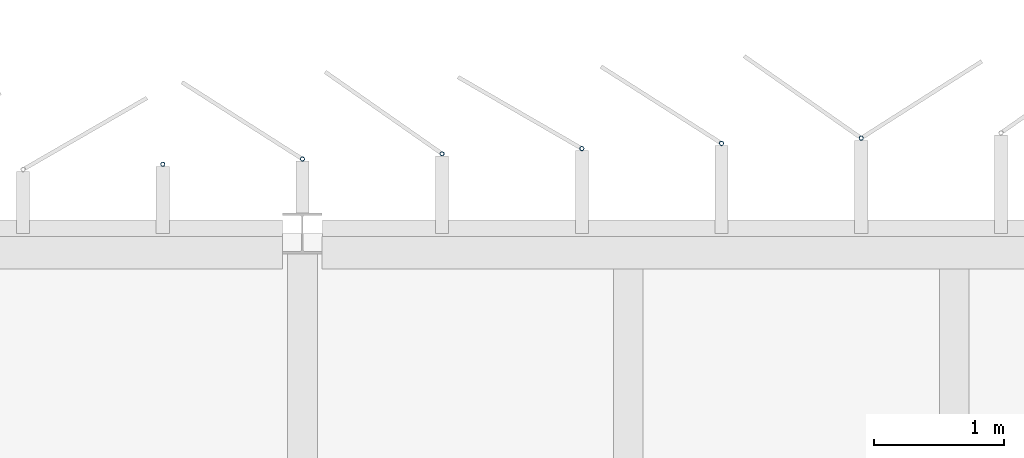
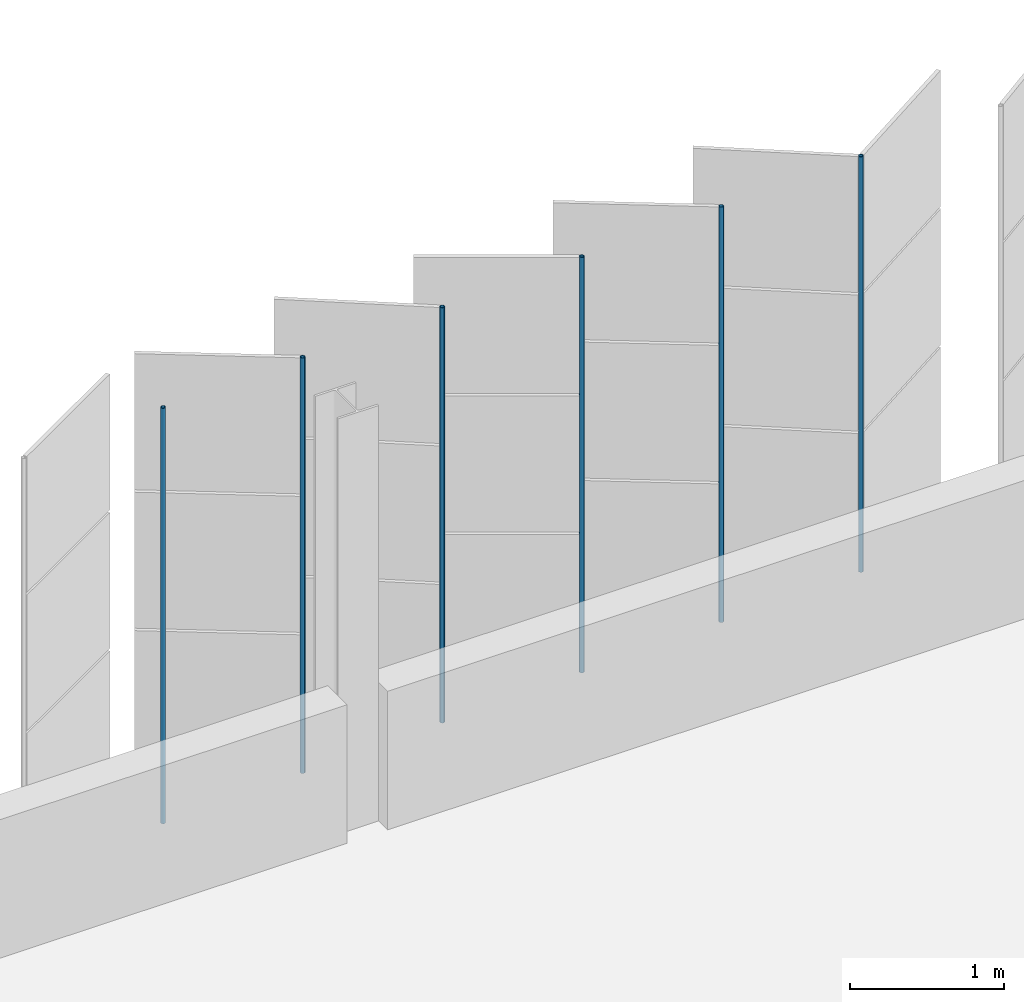
# One storey, part 168 of 214: 6 discrete accessories.
"""IFC4 building model written with IfcOpenShell, lengths in metres."""

from ifc_helpers import new_model, si_unit, direction, frame, origin, origin_2d, place, context, subcontext, project, spatial, hollow_circle, extrude, material, material_profile, profile_set, type_object, element, save


model = new_model("IFC4")

# Units and contexts
model_context = context("Model", 3, precision=1e-05, world=origin(), true_north=direction((0.0, 1.0)))
body_context = subcontext(model_context, "Body", "Model", "MODEL_VIEW")
ifc_project = project(units=[si_unit("LENGTHUNIT", "METRE"), si_unit("AREAUNIT", "SQUARE_METRE"), si_unit("VOLUMEUNIT", "CUBIC_METRE"), si_unit("PLANEANGLEUNIT", "RADIAN"), si_unit("MASSUNIT", "GRAM", prefix="KILO")], contexts=[model_context])

# Site, building, storey
site_placement = place(None, origin())
site = spatial("IfcSite", under=ifc_project, at=site_placement, CompositionType="ELEMENT")
building_placement = place(site_placement, origin())
building = spatial("IfcBuilding", under=site, at=building_placement, Name="Parallax Yard Mobility Hub", CompositionType="ELEMENT")
storey_placement = place(building_placement, frame((0.0, 0.0, 3.300048828125)))
storey = spatial("IfcBuildingStorey", under=building, at=storey_placement, Name="L01", CompositionType="ELEMENT", Elevation=3.300048828125)

# Discrete accessories
ifc_material = material(Name="Steel ASTM A500 Gr C, hot-dip galvanised", Category="steel")
ifc_material_profile = material_profile(ifc_material, hollow_circle(Radius=0.016845703125, WallThickness=0.003173828125, at=origin_2d()), Name="CHS 33.7x3.2")
ifc_profile_set = profile_set([ifc_material_profile], Name="Steel ASTM A500 Gr C, hot-dip galvanised")
discrete_accessory_type = type_object("IfcDiscreteAccessoryType", Name="Hinge post CHS 33.7x3.2", PredefinedType="BRACKET", material=ifc_profile_set)
for number, where, z_axis, x_axis, name in (
    (1, (169.287109375, 143.231689453125, 0.0), (0.0, 0.0, 1.0), (1.0, 0.0, 0.0), "Hinge post bay 51.4 level L01"),
    (2, (168.215576171875, 143.19140625, 0.0), (0.0, 0.0, 1.0), (1.0, 0.0, 0.0), "Hinge post bay 51.5 level L01"),
    (3, (167.14404296875, 143.1513671875, 0.0), (0.0, 0.0, 1.0), (1.0, 0.0, 0.0), "Hinge post bay 51.6 level L01"),
    (4, (166.072509765625, 143.111328125, 0.0), (0.0, 0.0, 1.0), (1.0, 0.0, 0.0), "Hinge post bay 51.7 level L01"),
    (5, (165.0009765625, 143.0712890625, 0.0), (0.0, 0.0, 1.0), (1.0, 0.0, 0.0), "Hinge post bay 52.1 level L01"),
    (6, (163.929443359375, 143.03125, 0.0), (0.0, 0.0, 1.0), (1.0, 0.0, 0.0), "Hinge post bay 52.2 level L01"),
):
    element("IfcDiscreteAccessory", number, at=place(storey_placement, frame(where, z_axis=z_axis, x_axis=x_axis)), inside=storey, type_object=discrete_accessory_type, Name=name, PredefinedType="BRACKET", context=body_context, shape_type="SweptSolid", body=[
        extrude(hollow_circle(Radius=0.016845703125, WallThickness=0.003173828125, at=origin_2d()), origin(), (0.0, 0.0, 1.0), 3.300048828125),
    ])

save(model, "model.ifc")
